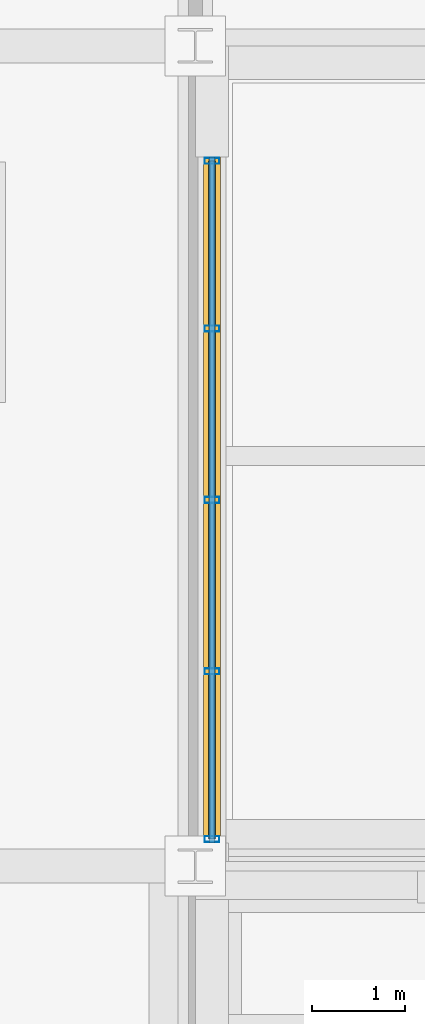
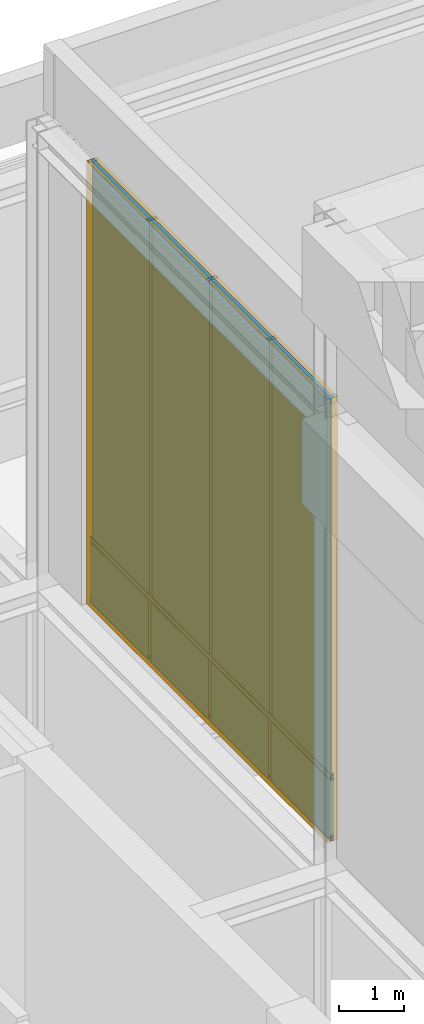
# One storey, part 13 of 17: 8 members, 8 plates, 1 curtain wall.
"""IFC4 building model written with IfcOpenShell, lengths in metres."""

from ifc_helpers import new_model, si_unit, direction, frame, frame_2d, origin, origin_2d, place, context, subcontext, project, spatial, rectangle, hollow_rectangle, extrude, material, layer, layer_set, material_profile, profile_set, type_object, element, aggregate, save


model = new_model("IFC4")

# Units and contexts
model_context = context("Model", 3, precision=1e-05, world=origin(), true_north=direction((0.0, 1.0)))
body_context = subcontext(model_context, "Body", "Model", "MODEL_VIEW")
ifc_project = project(units=[si_unit("LENGTHUNIT", "METRE"), si_unit("AREAUNIT", "SQUARE_METRE"), si_unit("VOLUMEUNIT", "CUBIC_METRE"), si_unit("PLANEANGLEUNIT", "RADIAN"), si_unit("MASSUNIT", "GRAM", prefix="KILO")], contexts=[model_context])

# Member
ifc_material_1 = material(Name="Anodized Aluminium 6063-T6", Category="aluminium")
ifc_material_profile_1 = material_profile(ifc_material_1, hollow_rectangle(XDim=0.06494140625, YDim=0.159912109375, WallThickness=0.00390625, at=origin_2d()), Name="Anodized Aluminium 6063-T6")
ifc_profile_set_1 = profile_set([ifc_material_profile_1], Name="Anodized Aluminium 6063-T6")
member_type_1 = type_object("IfcMemberType", Name="Curtain Wall Mullion 160", PredefinedType="MULLION", material=ifc_profile_set_1)
site_placement = place(None, origin())
building_placement = place(site_placement, origin())
storey_placement = place(building_placement, frame((0.0, 0.0, 308.0)))
member_1_placement = place(storey_placement, frame((19.3798828125, 36.409912109375, 5.800048828125), z_axis=(0.0, 0.0, 1.0), x_axis=(0.0, -1.0, 0.0)))
member_1 = element("IfcMember", 1, at=member_1_placement, type_object=member_type_1, Name="Curtain Wall Mullion CW-L78-LANT-W-M01", PredefinedType="MULLION", context=body_context, shape_type="SweptSolid", body=[
    extrude(hollow_rectangle(XDim=0.06494140625, YDim=0.159912109375, WallThickness=0.00390625, at=origin_2d()), origin(), (0.0, 0.0, 1.0), 8.320068359375),
])

member_2_placement = place(storey_placement, frame((19.3798828125, 34.60009765625, 5.800048828125), z_axis=(0.0, 0.0, 1.0), x_axis=(0.0, -1.0, 0.0)))
member_2 = element("IfcMember", 2, at=member_2_placement, type_object=member_type_1, Name="Curtain Wall Mullion CW-L78-LANT-W-M02", PredefinedType="MULLION", context=body_context, shape_type="SweptSolid", body=[
    extrude(hollow_rectangle(XDim=0.06494140625, YDim=0.159912109375, WallThickness=0.00390625, at=origin_2d()), origin(), (0.0, 0.0, 1.0), 8.320068359375),
])

member_3_placement = place(storey_placement, frame((19.3798828125, 32.75, 5.800048828125), z_axis=(0.0, 0.0, 1.0), x_axis=(0.0, -1.0, 0.0)))
member_3 = element("IfcMember", 3, at=member_3_placement, type_object=member_type_1, Name="Curtain Wall Mullion CW-L78-LANT-W-M03", PredefinedType="MULLION", context=body_context, shape_type="SweptSolid", body=[
    extrude(hollow_rectangle(XDim=0.06494140625, YDim=0.159912109375, WallThickness=0.00390625, at=origin_2d()), origin(), (0.0, 0.0, 1.0), 8.320068359375),
])

member_4_placement = place(storey_placement, frame((19.3798828125, 30.89990234375, 5.800048828125), z_axis=(0.0, 0.0, 1.0), x_axis=(0.0, -1.0, 0.0)))
member_4 = element("IfcMember", 4, at=member_4_placement, type_object=member_type_1, Name="Curtain Wall Mullion CW-L78-LANT-W-M04", PredefinedType="MULLION", context=body_context, shape_type="SweptSolid", body=[
    extrude(hollow_rectangle(XDim=0.06494140625, YDim=0.159912109375, WallThickness=0.00390625, at=origin_2d()), origin(), (0.0, 0.0, 1.0), 8.320068359375),
])

member_5_placement = place(storey_placement, frame((19.3798828125, 29.090087890625, 5.800048828125), z_axis=(0.0, 0.0, 1.0), x_axis=(0.0, -1.0, 0.0)))
member_5 = element("IfcMember", 5, at=member_5_placement, type_object=member_type_1, Name="Curtain Wall Mullion CW-L78-LANT-W-M05", PredefinedType="MULLION", context=body_context, shape_type="SweptSolid", body=[
    extrude(hollow_rectangle(XDim=0.06494140625, YDim=0.159912109375, WallThickness=0.00390625, at=origin_2d()), origin(), (0.0, 0.0, 1.0), 8.320068359375),
])

ifc_material_profile_2 = material_profile(ifc_material_1, hollow_rectangle(XDim=0.06005859375, YDim=0.10009765625, WallThickness=0.0029296875, at=origin_2d()), Name="Anodized Aluminium 6063-T6")
ifc_profile_set_2 = profile_set([ifc_material_profile_2], Name="Anodized Aluminium 6063-T6")
member_type_2 = type_object("IfcMemberType", Name="Curtain Wall Transom 100", PredefinedType="USERDEFINED", material=ifc_profile_set_2)
member_6_placement = place(storey_placement, frame((19.3798828125, 36.449951171875, 5.85009765625), z_axis=(0.0, -1.0, 0.0), x_axis=(1.0, 0.0, 0.0)))
member_6 = element("IfcMember", 6, at=member_6_placement, type_object=member_type_2, Name="Curtain Wall Transom CW-L78-LANT-W-T01", ObjectType="TRANSOM", PredefinedType="USERDEFINED", context=body_context, shape_type="SweptSolid", body=[
    extrude(hollow_rectangle(XDim=0.06005859375, YDim=0.10009765625, WallThickness=0.0029296875, at=origin_2d()), origin(), (0.0, 0.0, 1.0), 7.39990234375),
])

member_7_placement = place(storey_placement, frame((19.3798828125, 36.449951171875, 7.0), z_axis=(0.0, -1.0, 0.0), x_axis=(1.0, 0.0, 0.0)))
member_7 = element("IfcMember", 7, at=member_7_placement, type_object=member_type_2, Name="Curtain Wall Transom CW-L78-LANT-W-T02", ObjectType="TRANSOM", PredefinedType="USERDEFINED", context=body_context, shape_type="SweptSolid", body=[
    extrude(hollow_rectangle(XDim=0.06005859375, YDim=0.10009765625, WallThickness=0.0029296875, at=origin_2d()), origin(), (0.0, 0.0, 1.0), 7.39990234375),
])

member_8_placement = place(storey_placement, frame((19.3798828125, 36.449951171875, 14.070068359375), z_axis=(0.0, -1.0, 0.0), x_axis=(1.0, 0.0, 0.0)))
member_8 = element("IfcMember", 8, at=member_8_placement, type_object=member_type_2, Name="Curtain Wall Transom CW-L78-LANT-W-T03", ObjectType="TRANSOM", PredefinedType="USERDEFINED", context=body_context, shape_type="SweptSolid", body=[
    extrude(hollow_rectangle(XDim=0.06005859375, YDim=0.10009765625, WallThickness=0.0029296875, at=origin_2d()), origin(), (0.0, 0.0, 1.0), 7.39990234375),
])

# Plate
ifc_material_2 = material(Name="Triple Low-E Argon Glazing", Category="glass")
ifc_layer_1 = layer(ifc_material_2, 0.0439453125, Name="Triple Low-E Argon Glazing")
ifc_layer_set_1 = layer_set([ifc_layer_1], Name="Triple Low-E Argon Glazing")
plate_type_1 = type_object("IfcPlateType", Name="Plate CWGlazing 44", PredefinedType="CURTAIN_PANEL", material=ifc_layer_set_1)
plate_1_placement = place(storey_placement, frame((19.3798828125, 35.52490234375, 7.0400390625), z_axis=(0.0, 0.0, 1.0), x_axis=(0.0, -1.0, 0.0)))
plate_1 = element("IfcPlate", 9, at=plate_1_placement, type_object=plate_type_1, Name="Vision Glazing Panel CW-L78-LANT-W-GL01", PredefinedType="CURTAIN_PANEL", context=body_context, shape_type="SweptSolid", body=[
    extrude(rectangle(XDim=1.77001953125, YDim=0.0439453125, at=origin_2d()), origin(), (0.0, 0.0, 1.0), 7.0400390625),
])

plate_2_placement = place(storey_placement, frame((19.3798828125, 33.675048828125, 7.0400390625), z_axis=(0.0, 0.0, 1.0), x_axis=(0.0, -1.0, 0.0)))
plate_2 = element("IfcPlate", 10, at=plate_2_placement, type_object=plate_type_1, Name="Vision Glazing Panel CW-L78-LANT-W-GL02", PredefinedType="CURTAIN_PANEL", context=body_context, shape_type="SweptSolid", body=[
    extrude(rectangle(XDim=1.77001953125, YDim=0.0439453125, at=origin_2d()), origin(), (0.0, 0.0, 1.0), 7.0400390625),
])

plate_3_placement = place(storey_placement, frame((19.3798828125, 31.824951171875, 7.0400390625), z_axis=(0.0, 0.0, 1.0), x_axis=(0.0, -1.0, 0.0)))
plate_3 = element("IfcPlate", 11, at=plate_3_placement, type_object=plate_type_1, Name="Vision Glazing Panel CW-L78-LANT-W-GL03", PredefinedType="CURTAIN_PANEL", context=body_context, shape_type="SweptSolid", body=[
    extrude(rectangle(XDim=1.77001953125, YDim=0.0439453125, at=origin_2d()), origin(), (0.0, 0.0, 1.0), 7.0400390625),
])

plate_4_placement = place(storey_placement, frame((19.3798828125, 29.97509765625, 7.0400390625), z_axis=(0.0, 0.0, 1.0), x_axis=(0.0, -1.0, 0.0)))
plate_4 = element("IfcPlate", 12, at=plate_4_placement, type_object=plate_type_1, Name="Vision Glazing Panel CW-L78-LANT-W-GL04", PredefinedType="CURTAIN_PANEL", context=body_context, shape_type="SweptSolid", body=[
    extrude(rectangle(XDim=1.77001953125, YDim=0.0439453125, at=origin_2d()), origin(), (0.0, 0.0, 1.0), 7.0400390625),
])

ifc_material_3 = material(Name="Insulated Aluminium Spandrel Panel", Category="aluminium")
ifc_layer_2 = layer(ifc_material_3, 0.080078125, Name="Insulated Aluminium Spandrel Panel")
ifc_layer_set_2 = layer_set([ifc_layer_2], Name="Insulated Aluminium Spandrel Panel")
plate_type_2 = type_object("IfcPlateType", Name="Plate CWSpandrel 80", PredefinedType="SHEET", material=ifc_layer_set_2)
plate_5_placement = place(storey_placement, frame((19.3798828125, 35.52490234375, 5.83984375), z_axis=(0.0, 0.0, 1.0), x_axis=(0.0, -1.0, 0.0)))
plate_5 = element("IfcPlate", 13, at=plate_5_placement, type_object=plate_type_2, Name="Spandrel Panel CW-L78-LANT-W-SP01", PredefinedType="SHEET", context=body_context, shape_type="SweptSolid", body=[
    extrude(rectangle(XDim=1.77001953125, YDim=0.080078125, at=origin_2d()), origin(), (0.0, 0.0, 1.0), 1.1201171875),
])

plate_6_placement = place(storey_placement, frame((19.3798828125, 33.675048828125, 5.83984375), z_axis=(0.0, 0.0, 1.0), x_axis=(0.0, -1.0, 0.0)))
plate_6 = element("IfcPlate", 14, at=plate_6_placement, type_object=plate_type_2, Name="Spandrel Panel CW-L78-LANT-W-SP02", PredefinedType="SHEET", context=body_context, shape_type="SweptSolid", body=[
    extrude(rectangle(XDim=1.77001953125, YDim=0.080078125, at=origin_2d()), origin(), (0.0, 0.0, 1.0), 1.1201171875),
])

plate_7_placement = place(storey_placement, frame((19.3798828125, 31.824951171875, 5.83984375), z_axis=(0.0, 0.0, 1.0), x_axis=(0.0, -1.0, 0.0)))
plate_7 = element("IfcPlate", 15, at=plate_7_placement, type_object=plate_type_2, Name="Spandrel Panel CW-L78-LANT-W-SP03", PredefinedType="SHEET", context=body_context, shape_type="SweptSolid", body=[
    extrude(rectangle(XDim=1.77001953125, YDim=0.080078125, at=origin_2d()), origin(), (0.0, 0.0, 1.0), 1.1201171875),
])

plate_8_placement = place(storey_placement, frame((19.3798828125, 29.97509765625, 5.83984375), z_axis=(0.0, 0.0, 1.0), x_axis=(0.0, -1.0, 0.0)))
plate_8 = element("IfcPlate", 16, at=plate_8_placement, type_object=plate_type_2, Name="Spandrel Panel CW-L78-LANT-W-SP04", PredefinedType="SHEET", context=body_context, shape_type="SweptSolid", body=[
    extrude(rectangle(XDim=1.77001953125, YDim=0.080078125, at=origin_2d()), origin(), (0.0, 0.0, 1.0), 1.1201171875),
])

# Site, building, storey
site = spatial("IfcSite", under=ifc_project, at=site_placement, CompositionType="ELEMENT")
building = spatial("IfcBuilding", under=site, at=building_placement, Name="Norrvale University Quadrangle", CompositionType="ELEMENT")
storey = spatial("IfcBuildingStorey", under=building, at=storey_placement, Name="L78", CompositionType="ELEMENT", Elevation=308.0)

# Curtain wall
ifc_material_4 = material(Name="Anodized Aluminium and Triple Glazing", Category="glass")
curtain_wall_type = type_object("IfcCurtainWallType", Name="Curtain Wall System 6 Pool Crown", PredefinedType="NOTDEFINED", material=ifc_material_4)
curtain_wall_placement = place(storey_placement, frame((19.3798828125, 36.449951171875, 5.800048828125), z_axis=(0.0, 0.0, 1.0), x_axis=(0.0, -1.0, 0.0)))
curtain_wall = element("IfcCurtainWall", 17, at=curtain_wall_placement, inside=storey, type_object=curtain_wall_type, Name="Curtain Wall CW System 6 Pool Crown CW-L78-LANT-W", PredefinedType="NOTDEFINED", context=body_context, shape_type="SweptSolid", body=[
    extrude(rectangle(XDim=7.39990234375, YDim=0.18505859375, at=frame_2d((3.699951171875, 0.0))), origin(), (0.0, 0.0, 1.0), 8.320068359375),
])

aggregate(curtain_wall, [member_1, member_2, member_3, member_4, member_5, member_6, member_7, member_8, plate_5, plate_1, plate_6, plate_2, plate_7, plate_3, plate_8, plate_4])

save(model, "model.ifc")
